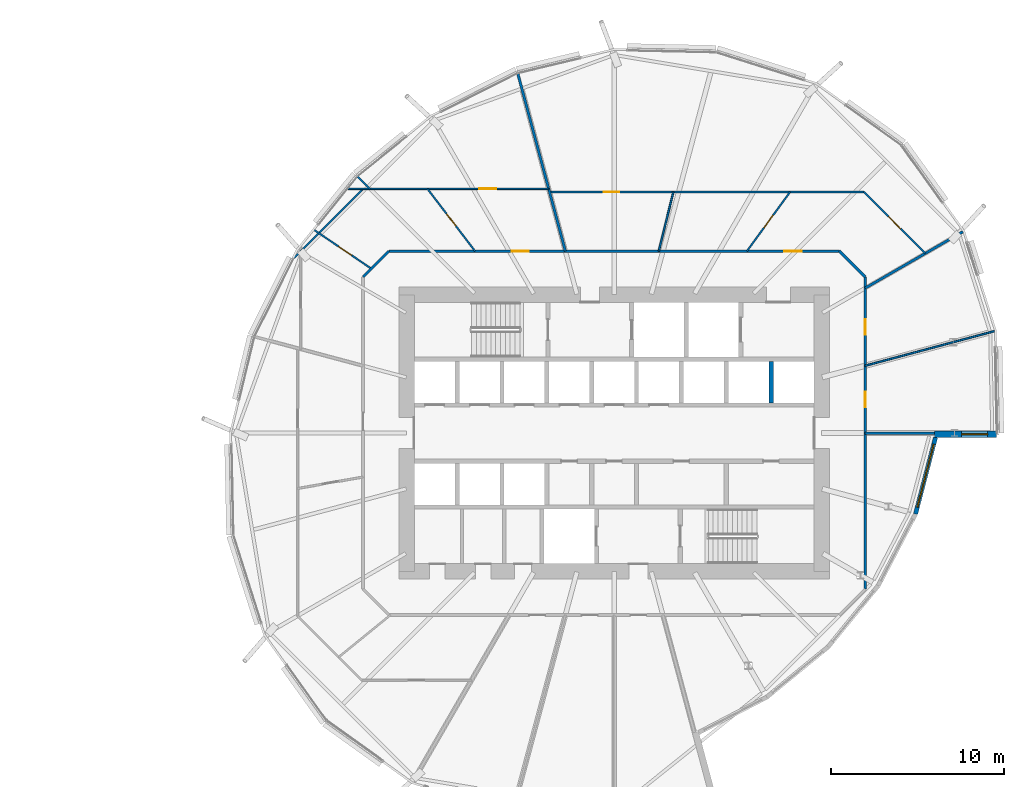
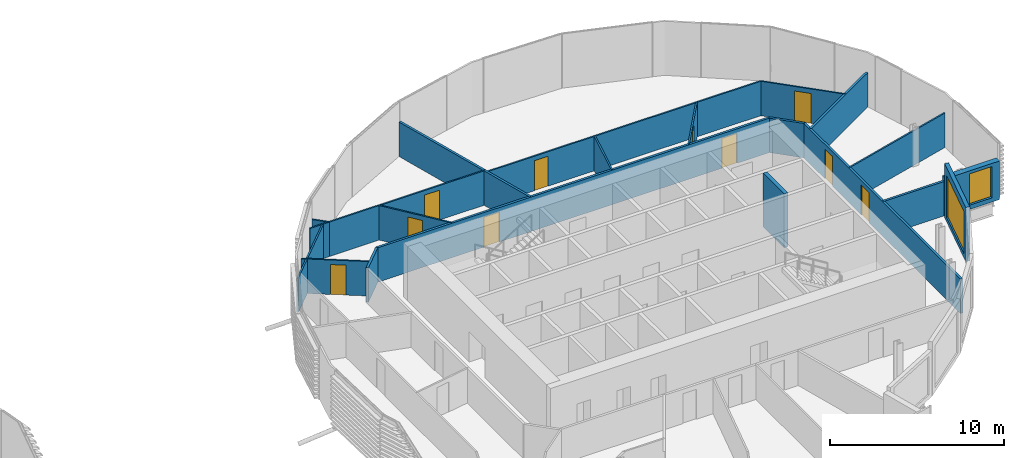
# One storey, part 25 of 38: 21 walls, 10 doors, 2 windows, 12 openings.
"""IFC4 building model written with IfcOpenShell, lengths in metres."""

from ifc_helpers import new_model, si_unit, direction, frame, frame_2d, origin, place, context, subcontext, project, spatial, rectangle, extrude, material, layer, layer_set, type_object, element, fill, save


model = new_model("IFC4")

# Units and contexts
model_context = context("Model", 3, precision=1e-05, world=origin(), true_north=direction((0.0, 1.0)))
body_context = subcontext(model_context, "Body", "Model", "MODEL_VIEW")
ifc_project = project(units=[si_unit("LENGTHUNIT", "METRE"), si_unit("AREAUNIT", "SQUARE_METRE"), si_unit("VOLUMEUNIT", "CUBIC_METRE"), si_unit("PLANEANGLEUNIT", "RADIAN"), si_unit("MASSUNIT", "GRAM", prefix="KILO")], contexts=[model_context])

# Site, building, storey
site_placement = place(None, origin())
site = spatial("IfcSite", under=ifc_project, at=site_placement, CompositionType="ELEMENT")
building_placement = place(site_placement, origin())
building = spatial("IfcBuilding", under=site, at=building_placement, Name="Rimbun Link Towers", CompositionType="ELEMENT")
storey_placement = place(building_placement, frame((0.0, 0.0, 68.0)))
storey = spatial("IfcBuildingStorey", under=building, at=storey_placement, Name="L16", CompositionType="ELEMENT", Elevation=68.0)

# Wall, opening, window
ifc_material_1 = material(Name="Dark enamelled glass spandrel on insulated aluminium backpan", Category="aluminium")
ifc_layer_1 = layer(ifc_material_1, 0.25)
ifc_layer_set_1 = layer_set([ifc_layer_1], Name="CS dark enamelled spandrel wall 250")
wall_type_1 = type_object("IfcWallType", Name="CS dark enamelled spandrel wall 250", PredefinedType="STANDARD", material=ifc_layer_set_1)
wall_1_placement = place(storey_placement, frame((50.343017578125, -0.25, 0.0), z_axis=(0.0, 0.0, 1.0), x_axis=(-0.252335175564, -0.967639891268, 0.0)))
wall_1 = element("IfcWall", 1, at=wall_1_placement, inside=storey, type_object=wall_type_1, Name="Crease spandrel wall", PredefinedType="STANDARD", context=body_context, shape_type="SweptSolid", body=[
    extrude(rectangle(XDim=4.584228515625, YDim=0.25, at=frame_2d((2.2919921875, 0.0))), origin(), (0.0, 0.0, 1.0), 3.800048828125),
])
opening_1_placement = place(wall_1_placement, frame((0.4169921875, 0.0, 0.300048828125)))
opening_1 = element("IfcOpeningElement", 2, at=opening_1_placement, cuts=wall_1, Name="Opening WR38H295", PredefinedType="OPENING", context=body_context, shape_type="SweptSolid", body=[
    extrude(rectangle(XDim=3.75, YDim=2.949951171875, at=frame_2d((1.875, 1.47509765625))), frame((0.0, 0.135009765625, 0.0), z_axis=(0.0, -1.0, 0.0), x_axis=(1.0, 0.0, 0.0)), (0.0, 0.0, 1.0), 0.27001953125),
])
ifc_material_2 = material(Name="Aluminium framed fixed window, dark tinted low-e glass", Category="aluminium")
window_type_1 = type_object("IfcWindowType", Name="WR ribbon window 3750X2950", PartitioningType="SINGLE_PANEL", PredefinedType="WINDOW", material=ifc_material_2)
window_1_placement = place(opening_1_placement, origin())
window_1 = element("IfcWindow", 3, at=window_1_placement, inside=storey, type_object=window_type_1, Name="Crease ribbon window", OverallHeight=2.949951171875, OverallWidth=3.75, PartitioningType="SINGLE_PANEL", PredefinedType="WINDOW", context=body_context, shape_type="SweptSolid", body=[
    extrude(rectangle(XDim=3.75, YDim=2.949951171875, at=frame_2d((1.875, 1.47509765625))), frame((0.0, 0.030029296875, 0.0), z_axis=(0.0, -1.0, 0.0), x_axis=(1.0, 0.0, 0.0)), (0.0, 0.0, 1.0), 0.06005859375),
])
fill(opening_1, window_1)

ifc_material_3 = material(Name="Dark enamelled glass spandrel on insulated aluminium backpan", Category="aluminium")
ifc_layer_2 = layer(ifc_material_3, 0.3701171875)
ifc_layer_set_2 = layer_set([ifc_layer_2], Name="CS dark enamelled spandrel wall 370")
wall_type_2 = type_object("IfcWallType", Name="CS dark enamelled spandrel wall 370", PredefinedType="STANDARD", material=ifc_layer_set_2)
wall_2_placement = place(storey_placement, frame((53.85888671875, -0.06494140625, 0.0), z_axis=(0.0, 0.0, 1.0), x_axis=(-1.0, 0.0, 0.0)))
wall_2 = element("IfcWall", 4, at=wall_2_placement, inside=storey, type_object=wall_type_2, Name="Crease spandrel wall", PredefinedType="STANDARD", context=body_context, shape_type="SweptSolid", body=[
    extrude(rectangle(XDim=3.579833984375, YDim=0.3701171875, at=frame_2d((1.7900390625, 0.0))), origin(), (0.0, 0.0, 1.0), 2.711669921875),
])
opening_2_placement = place(wall_2_placement, frame((0.510498046875, 0.0, 0.300048828125)))
opening_2 = element("IfcOpeningElement", 5, at=opening_2_placement, cuts=wall_2, Name="Opening WR15H220", PredefinedType="OPENING", context=body_context, shape_type="SweptSolid", body=[
    extrude(rectangle(XDim=1.5, YDim=2.199951171875, at=frame_2d((0.75, 1.10009765625))), frame((0.0, 0.195068359375, 0.0), z_axis=(0.0, -1.0, 0.0), x_axis=(1.0, 0.0, 0.0)), (0.0, 0.0, 1.0), 0.39013671875),
])
ifc_material_4 = material(Name="Aluminium framed fixed window, dark tinted low-e glass", Category="aluminium")
window_type_2 = type_object("IfcWindowType", Name="WR ribbon window 1500X2200", PartitioningType="SINGLE_PANEL", PredefinedType="WINDOW", material=ifc_material_4)
window_2_placement = place(opening_2_placement, origin())
window_2 = element("IfcWindow", 6, at=window_2_placement, inside=storey, type_object=window_type_2, Name="Crease ribbon window", OverallHeight=2.199951171875, OverallWidth=1.5, PartitioningType="SINGLE_PANEL", PredefinedType="WINDOW", context=body_context, shape_type="SweptSolid", body=[
    extrude(rectangle(XDim=1.5, YDim=2.199951171875, at=frame_2d((0.75, 1.10009765625))), frame((0.0, 0.030029296875, 0.0), z_axis=(0.0, -1.0, 0.0), x_axis=(1.0, 0.0, 0.0)), (0.0, 0.0, 1.0), 0.06005859375),
])
fill(opening_2, window_2)

# Wall, openings, doors
ifc_material_5 = material(Name="Plasterboard on steel stud, mineral wool", Category="steel")
ifc_layer_3 = layer(ifc_material_5, 0.14990234375)
ifc_layer_set_3 = layer_set([ifc_layer_3], Name="Corridor wall EI 30 150 mm")
wall_type_3 = type_object("IfcWallType", Name="Corridor wall EI 30 150 mm", PredefinedType="PARTITIONING", material=ifc_layer_set_3)
wall_3_placement = place(storey_placement, frame((18.723388671875, 10.52490234375, 0.0), z_axis=(0.0, 0.0, 1.0), x_axis=(1.0, 0.0, 0.0)))
wall_3 = element("IfcWall", 7, at=wall_3_placement, inside=storey, type_object=wall_type_3, Name="Corridor wall EI 30 150 mm", PredefinedType="PARTITIONING", context=body_context, shape_type="SweptSolid", body=[
    extrude(rectangle(XDim=26.05322265625, YDim=0.14990234375, at=frame_2d((13.026611328125, 0.0))), origin(), (0.0, 0.0, 1.0), 2.419921875),
])
opening_3_placement = place(wall_3_placement, frame((22.880615234375, 0.0, 0.0)))
opening_3 = element("IfcOpeningElement", 8, at=opening_3_placement, cuts=wall_3, Name="Opening D01", PredefinedType="OPENING", context=body_context, shape_type="SweptSolid", body=[
    extrude(rectangle(XDim=1.0, YDim=2.10009765625, at=frame_2d((0.5, 1.050048828125))), frame((0.0, 0.0849609375, 0.0), z_axis=(0.0, -1.0, 0.0), x_axis=(1.0, 0.0, 0.0)), (0.0, 0.0, 1.0), 0.169921875),
])
opening_4_placement = place(wall_3_placement, frame((7.093994140625, 0.0, 0.0)))
opening_4 = element("IfcOpeningElement", 9, at=opening_4_placement, cuts=wall_3, Name="Opening D01", PredefinedType="OPENING", context=body_context, shape_type="SweptSolid", body=[
    extrude(rectangle(XDim=1.0, YDim=2.10009765625, at=frame_2d((0.5, 1.050048828125))), frame((0.0, 0.0849609375, 0.0), z_axis=(0.0, -1.0, 0.0), x_axis=(1.0, 0.0, 0.0)), (0.0, 0.0, 1.0), 0.169921875),
])
ifc_material_6 = material(Name="Fire-resisting timber door leaf", Category="wood")
door_type_1 = type_object("IfcDoorType", Name="Fire door FD30S 1000", OperationType="NOTDEFINED", PredefinedType="DOOR", material=ifc_material_6)
door_1_placement = place(opening_3_placement, origin())
door_1 = element("IfcDoor", 10, at=door_1_placement, inside=storey, type_object=door_type_1, Name="Fire door FD30S 1000 to Reception", OperationType="SINGLE_SWING_LEFT", OverallHeight=2.10009765625, OverallWidth=1.0, PredefinedType="DOOR", context=body_context, shape_type="SweptSolid", body=[
    extrude(rectangle(XDim=1.0, YDim=2.10009765625, at=frame_2d((0.5, 1.050048828125))), frame((0.0, 0.02490234375, 0.0), z_axis=(0.0, -1.0, 0.0), x_axis=(1.0, 0.0, 0.0)), (0.0, 0.0, 1.0), 0.050048828125),
])
fill(opening_3, door_1)
door_2_placement = place(opening_4_placement, origin())
door_2 = element("IfcDoor", 11, at=door_2_placement, inside=storey, type_object=door_type_1, Name="Fire door FD30S 1000 to Reception", OperationType="SINGLE_SWING_RIGHT", OverallHeight=2.10009765625, OverallWidth=1.0, PredefinedType="DOOR", context=body_context, shape_type="SweptSolid", body=[
    extrude(rectangle(XDim=1.0, YDim=2.10009765625, at=frame_2d((0.5, 1.050048828125))), frame((0.0, 0.02490234375, 0.0), z_axis=(0.0, -1.0, 0.0), x_axis=(1.0, 0.0, 0.0)), (0.0, 0.0, 1.0), 0.050048828125),
])
fill(opening_4, door_2)

# Wall
wall_4_placement = place(storey_placement, frame((46.27490234375, 9.026611328125, 0.0), z_axis=(0.0, 0.0, 1.0), x_axis=(-0.707106781187, 0.707106781187, 0.0)))
element("IfcWall", 12, at=wall_4_placement, inside=storey, type_object=wall_type_3, Name="Corridor wall EI 30 150 mm", PredefinedType="PARTITIONING", context=body_context, shape_type="SweptSolid", body=[
    extrude(rectangle(XDim=2.118896484375, YDim=0.14990234375, at=frame_2d((1.0595703125, 0.0))), origin(), (0.0, 0.0, 1.0), 2.419921875),
])

# Wall, openings, doors
wall_5_placement = place(storey_placement, frame((46.27490234375, 9.026611328125, 0.0), z_axis=(0.0, 0.0, 1.0), x_axis=(0.0, -1.0, 0.0)))
wall_5 = element("IfcWall", 13, at=wall_5_placement, inside=storey, type_object=wall_type_3, Name="Corridor wall EI 30 150 mm", PredefinedType="PARTITIONING", context=body_context, shape_type="SweptSolid", body=[
    extrude(rectangle(XDim=18.05322265625, YDim=0.14990234375, at=frame_2d((9.026611328125, 0.0))), origin(), (0.0, 0.0, 1.0), 2.419921875),
])
opening_5_placement = place(wall_5_placement, frame((6.630615234375, 0.0, 0.0)))
opening_5 = element("IfcOpeningElement", 14, at=opening_5_placement, cuts=wall_5, Name="Opening D02", PredefinedType="OPENING", context=body_context, shape_type="SweptSolid", body=[
    extrude(rectangle(XDim=0.89990234375, YDim=2.10009765625, at=frame_2d((0.449951171875, 1.050048828125))), frame((0.0, 0.0849609375, 0.0), z_axis=(0.0, -1.0, 0.0), x_axis=(1.0, 0.0, 0.0)), (0.0, 0.0, 1.0), 0.169921875),
])
opening_6_placement = place(wall_5_placement, frame((2.437744140625, 0.0, 0.0)))
opening_6 = element("IfcOpeningElement", 15, at=opening_6_placement, cuts=wall_5, Name="Opening D02", PredefinedType="OPENING", context=body_context, shape_type="SweptSolid", body=[
    extrude(rectangle(XDim=0.89990234375, YDim=2.10009765625, at=frame_2d((0.449951171875, 1.050048828125))), frame((0.0, 0.0849609375, 0.0), z_axis=(0.0, -1.0, 0.0), x_axis=(1.0, 0.0, 0.0)), (0.0, 0.0, 1.0), 0.169921875),
])
ifc_material_7 = material(Name="Fire-resisting timber door leaf", Category="wood")
door_type_2 = type_object("IfcDoorType", Name="Fire door FD30S 900", OperationType="NOTDEFINED", PredefinedType="DOOR", material=ifc_material_7)
door_3_placement = place(opening_5_placement, origin())
door_3 = element("IfcDoor", 16, at=door_3_placement, inside=storey, type_object=door_type_2, Name="Fire door FD30S 900 to Meeting room", OperationType="SINGLE_SWING_LEFT", OverallHeight=2.10009765625, OverallWidth=0.89990234375, PredefinedType="DOOR", context=body_context, shape_type="SweptSolid", body=[
    extrude(rectangle(XDim=0.89990234375, YDim=2.10009765625, at=frame_2d((0.449951171875, 1.050048828125))), frame((0.0, 0.02490234375, 0.0), z_axis=(0.0, -1.0, 0.0), x_axis=(1.0, 0.0, 0.0)), (0.0, 0.0, 1.0), 0.050048828125),
])
fill(opening_5, door_3)
door_4_placement = place(opening_6_placement, origin())
door_4 = element("IfcDoor", 17, at=door_4_placement, inside=storey, type_object=door_type_2, Name="Fire door FD30S 900 to Meeting room", OperationType="SINGLE_SWING_RIGHT", OverallHeight=2.10009765625, OverallWidth=0.89990234375, PredefinedType="DOOR", context=body_context, shape_type="SweptSolid", body=[
    extrude(rectangle(XDim=0.89990234375, YDim=2.10009765625, at=frame_2d((0.449951171875, 1.050048828125))), frame((0.0, 0.02490234375, 0.0), z_axis=(0.0, -1.0, 0.0), x_axis=(1.0, 0.0, 0.0)), (0.0, 0.0, 1.0), 0.050048828125),
])
fill(opening_6, door_4)

# Walls
wall_6_placement = place(storey_placement, frame((18.723388671875, 10.52490234375, 0.0), z_axis=(0.0, 0.0, 1.0), x_axis=(-0.707106781187, -0.707106781187, 0.0)))
element("IfcWall", 18, at=wall_6_placement, inside=storey, type_object=wall_type_3, Name="Corridor wall EI 30 150 mm", PredefinedType="PARTITIONING", context=body_context, shape_type="SweptSolid", body=[
    extrude(rectangle(XDim=2.118896484375, YDim=0.14990234375, at=frame_2d((1.0595703125, 0.0))), origin(), (0.0, 0.0, 1.0), 2.419921875),
])
ifc_material_8 = material(Name="Plasterboard on steel stud", Category="steel")
ifc_layer_4 = layer(ifc_material_8, 0.10009765625)
ifc_layer_set_4 = layer_set([ifc_layer_4], Name="Plasterboard partition 100 mm")
wall_type_4 = type_object("IfcWallType", Name="Plasterboard partition 100 mm", PredefinedType="PARTITIONING", material=ifc_layer_set_4)
wall_7_placement = place(storey_placement, frame((53.7548828125, 5.896240234375, 0.0), z_axis=(0.0, 0.0, 1.0), x_axis=(-0.965929194551, -0.25880647425, 0.0)))
element("IfcWall", 19, at=wall_7_placement, inside=storey, type_object=wall_type_4, Name="Plasterboard partition 100 mm", PredefinedType="PARTITIONING", context=body_context, shape_type="SweptSolid", body=[
    extrude(rectangle(XDim=7.743896484375, YDim=0.10009765625, at=frame_2d((3.8720703125, 0.0))), origin(), (0.0, 0.0, 1.0), 2.419921875),
])

# Wall, opening, door
wall_8_placement = place(storey_placement, frame((39.431396484375, 10.52490234375, 0.0), z_axis=(0.0, 0.0, 1.0), x_axis=(0.589514828759, 0.80775755439, 0.0)))
wall_8 = element("IfcWall", 20, at=wall_8_placement, inside=storey, type_object=wall_type_4, Name="Plasterboard partition 100 mm", PredefinedType="PARTITIONING", context=body_context, shape_type="SweptSolid", body=[
    extrude(rectangle(XDim=4.234130859375, YDim=0.10009765625, at=frame_2d((2.1171875, 0.0))), origin(), (0.0, 0.0, 1.0), 2.419921875),
])
opening_7_placement = place(wall_8_placement, frame((1.6669921875, 0.0, 0.0)))
opening_7 = element("IfcOpeningElement", 21, at=opening_7_placement, cuts=wall_8, Name="Opening D04", PredefinedType="OPENING", context=body_context, shape_type="SweptSolid", body=[
    extrude(rectangle(XDim=0.89990234375, YDim=2.10009765625, at=frame_2d((0.449951171875, 1.050048828125))), frame((0.0, 0.06005859375, 0.0), z_axis=(0.0, -1.0, 0.0), x_axis=(1.0, 0.0, 0.0)), (0.0, 0.0, 1.0), 0.1201171875),
])
ifc_material_9 = material(Name="Timber door leaf", Category="wood")
door_type_3 = type_object("IfcDoorType", Name="Flush door 900", OperationType="NOTDEFINED", PredefinedType="DOOR", material=ifc_material_9)
door_5_placement = place(opening_7_placement, origin())
door_5 = element("IfcDoor", 22, at=door_5_placement, inside=storey, type_object=door_type_3, Name="Flush door 900 to Meeting room", OperationType="SINGLE_SWING_RIGHT", OverallHeight=2.10009765625, OverallWidth=0.89990234375, PredefinedType="DOOR", context=body_context, shape_type="SweptSolid", body=[
    extrude(rectangle(XDim=0.89990234375, YDim=2.10009765625, at=frame_2d((0.449951171875, 1.050048828125))), frame((0.0, 0.02490234375, 0.0), z_axis=(0.0, -1.0, 0.0), x_axis=(1.0, 0.0, 0.0)), (0.0, 0.0, 1.0), 0.050048828125),
])
fill(opening_7, door_5)

wall_9_placement = place(storey_placement, frame((46.193359375, 13.945068359375, 0.0), z_axis=(0.0, 0.0, 1.0), x_axis=(0.707106781187, -0.707106781187, 0.0)))
wall_9 = element("IfcWall", 23, at=wall_9_placement, inside=storey, type_object=wall_type_4, Name="Plasterboard partition 100 mm", PredefinedType="PARTITIONING", context=body_context, shape_type="SweptSolid", body=[
    extrude(rectangle(XDim=5.0263671875, YDim=0.10009765625, at=frame_2d((2.51318359375, 0.0))), origin(), (0.0, 0.0, 1.0), 2.419921875),
])
opening_8_placement = place(wall_9_placement, frame((2.01318359375, 0.0, 0.0)))
opening_8 = element("IfcOpeningElement", 24, at=opening_8_placement, cuts=wall_9, Name="Opening D03", PredefinedType="OPENING", context=body_context, shape_type="SweptSolid", body=[
    extrude(rectangle(XDim=1.0, YDim=2.10009765625, at=frame_2d((0.5, 1.050048828125))), frame((0.0, 0.06005859375, 0.0), z_axis=(0.0, -1.0, 0.0), x_axis=(1.0, 0.0, 0.0)), (0.0, 0.0, 1.0), 0.1201171875),
])
ifc_material_10 = material(Name="Timber door leaf", Category="wood")
door_type_4 = type_object("IfcDoorType", Name="Flush door 1000", OperationType="NOTDEFINED", PredefinedType="DOOR", material=ifc_material_10)
door_6_placement = place(opening_8_placement, origin())
door_6 = element("IfcDoor", 25, at=door_6_placement, inside=storey, type_object=door_type_4, Name="Flush door 1000 to Open office", OperationType="SINGLE_SWING_LEFT", OverallHeight=2.10009765625, OverallWidth=1.0, PredefinedType="DOOR", context=body_context, shape_type="SweptSolid", body=[
    extrude(rectangle(XDim=1.0, YDim=2.10009765625, at=frame_2d((0.5, 1.050048828125))), frame((0.0, 0.02490234375, 0.0), z_axis=(0.0, -1.0, 0.0), x_axis=(1.0, 0.0, 0.0)), (0.0, 0.0, 1.0), 0.050048828125),
])
fill(opening_8, door_6)

wall_10_placement = place(storey_placement, frame((46.193359375, 13.945068359375, 0.0), z_axis=(0.0, 0.0, 1.0), x_axis=(-1.0, 0.0, 0.0)))
wall_10 = element("IfcWall", 26, at=wall_10_placement, inside=storey, type_object=wall_type_4, Name="Plasterboard partition 100 mm", PredefinedType="PARTITIONING", context=body_context, shape_type="SweptSolid", body=[
    extrude(rectangle(XDim=18.179931640625, YDim=0.10009765625, at=frame_2d((9.08984375, 0.0))), origin(), (0.0, 0.0, 1.0), 2.419921875),
])
opening_9_placement = place(wall_10_placement, frame((14.1494140625, 0.0, 0.0)))
opening_9 = element("IfcOpeningElement", 27, at=opening_9_placement, cuts=wall_10, Name="Opening D04", PredefinedType="OPENING", context=body_context, shape_type="SweptSolid", body=[
    extrude(rectangle(XDim=0.89990234375, YDim=2.10009765625, at=frame_2d((0.449951171875, 1.050048828125))), frame((0.0, 0.06005859375, 0.0), z_axis=(0.0, -1.0, 0.0), x_axis=(1.0, 0.0, 0.0)), (0.0, 0.0, 1.0), 0.1201171875),
])
door_7_placement = place(opening_9_placement, origin())
door_7 = element("IfcDoor", 28, at=door_7_placement, inside=storey, type_object=door_type_3, Name="Flush door 900 to Print room", OperationType="SINGLE_SWING_RIGHT", OverallHeight=2.10009765625, OverallWidth=0.89990234375, PredefinedType="DOOR", context=body_context, shape_type="SweptSolid", body=[
    extrude(rectangle(XDim=0.89990234375, YDim=2.10009765625, at=frame_2d((0.449951171875, 1.050048828125))), frame((0.0, 0.02490234375, 0.0), z_axis=(0.0, -1.0, 0.0), x_axis=(1.0, 0.0, 0.0)), (0.0, 0.0, 1.0), 0.050048828125),
])
fill(opening_9, door_7)

# Wall
wall_11_placement = place(storey_placement, frame((35.17431640625, 13.945068359375, 0.0), z_axis=(0.0, 0.0, 1.0), x_axis=(-0.238406590273, -0.971165432722, 0.0)))
element("IfcWall", 29, at=wall_11_placement, inside=storey, type_object=wall_type_4, Name="Plasterboard partition 100 mm", PredefinedType="PARTITIONING", context=body_context, shape_type="SweptSolid", body=[
    extrude(rectangle(XDim=3.521728515625, YDim=0.10009765625, at=frame_2d((1.7607421875, 0.0))), origin(), (0.0, 0.0, 1.0), 2.419921875),
])

# Wall, opening, door
wall_12_placement = place(storey_placement, frame((23.704833984375, 10.52490234375, 0.0), z_axis=(0.0, 0.0, 1.0), x_axis=(-0.607268103585, 0.794496979458, 0.0)))
wall_12 = element("IfcWall", 30, at=wall_12_placement, inside=storey, type_object=wall_type_4, Name="Plasterboard partition 100 mm", PredefinedType="PARTITIONING", context=body_context, shape_type="SweptSolid", body=[
    extrude(rectangle(XDim=4.53125, YDim=0.10009765625, at=frame_2d((2.265625, 0.0))), origin(), (0.0, 0.0, 1.0), 2.419921875),
])
opening_10_placement = place(wall_12_placement, frame((1.815673828125, 0.0, 0.0)))
opening_10 = element("IfcOpeningElement", 31, at=opening_10_placement, cuts=wall_12, Name="Opening D04", PredefinedType="OPENING", context=body_context, shape_type="SweptSolid", body=[
    extrude(rectangle(XDim=0.89990234375, YDim=2.10009765625, at=frame_2d((0.449951171875, 1.050048828125))), frame((0.0, 0.06005859375, 0.0), z_axis=(0.0, -1.0, 0.0), x_axis=(1.0, 0.0, 0.0)), (0.0, 0.0, 1.0), 0.1201171875),
])
door_8_placement = place(opening_10_placement, origin())
door_8 = element("IfcDoor", 32, at=door_8_placement, inside=storey, type_object=door_type_3, Name="Flush door 900 to Meeting room", OperationType="SINGLE_SWING_RIGHT", OverallHeight=2.10009765625, OverallWidth=0.89990234375, PredefinedType="DOOR", context=body_context, shape_type="SweptSolid", body=[
    extrude(rectangle(XDim=0.89990234375, YDim=2.10009765625, at=frame_2d((0.449951171875, 1.050048828125))), frame((0.0, 0.02490234375, 0.0), z_axis=(0.0, -1.0, 0.0), x_axis=(1.0, 0.0, 0.0)), (0.0, 0.0, 1.0), 0.050048828125),
])
fill(opening_10, door_8)

wall_13_placement = place(storey_placement, frame((17.625, 14.125, 0.0), z_axis=(0.0, 0.0, 1.0), x_axis=(1.0, 0.0, 0.0)))
wall_13 = element("IfcWall", 33, at=wall_13_placement, inside=storey, type_object=wall_type_4, Name="Plasterboard partition 100 mm", PredefinedType="PARTITIONING", context=body_context, shape_type="SweptSolid", body=[
    extrude(rectangle(XDim=10.340087890625, YDim=0.10009765625, at=frame_2d((5.169921875, 0.0))), origin(), (0.0, 0.0, 1.0), 2.419921875),
])
opening_11_placement = place(wall_13_placement, frame((6.319091796875, 0.0, 0.0)))
opening_11 = element("IfcOpeningElement", 34, at=opening_11_placement, cuts=wall_13, Name="Opening D03", PredefinedType="OPENING", context=body_context, shape_type="SweptSolid", body=[
    extrude(rectangle(XDim=1.0, YDim=2.10009765625, at=frame_2d((0.5, 1.050048828125))), frame((0.0, 0.06005859375, 0.0), z_axis=(0.0, -1.0, 0.0), x_axis=(1.0, 0.0, 0.0)), (0.0, 0.0, 1.0), 0.1201171875),
])
door_9_placement = place(opening_11_placement, origin())
door_9 = element("IfcDoor", 35, at=door_9_placement, inside=storey, type_object=door_type_4, Name="Flush door 1000 to Co-working space", OperationType="SINGLE_SWING_LEFT", OverallHeight=2.10009765625, OverallWidth=1.0, PredefinedType="DOOR", context=body_context, shape_type="SweptSolid", body=[
    extrude(rectangle(XDim=1.0, YDim=2.10009765625, at=frame_2d((0.5, 1.050048828125))), frame((0.0, 0.02490234375, 0.0), z_axis=(0.0, -1.0, 0.0), x_axis=(1.0, 0.0, 0.0)), (0.0, 0.0, 1.0), 0.050048828125),
])
fill(opening_11, door_9)

wall_14_placement = place(storey_placement, frame((17.706787109375, 9.50830078125, 0.0), z_axis=(0.0, 0.0, 1.0), x_axis=(-0.82805052716, 0.560653479851, 0.0)))
wall_14 = element("IfcWall", 36, at=wall_14_placement, inside=storey, type_object=wall_type_4, Name="Plasterboard partition 100 mm", PredefinedType="PARTITIONING", context=body_context, shape_type="SweptSolid", body=[
    extrude(rectangle(XDim=3.99365234375, YDim=0.10009765625, at=frame_2d((1.996826171875, 0.0))), origin(), (0.0, 0.0, 1.0), 2.419921875),
])
opening_12_placement = place(wall_14_placement, frame((1.383056640625, 0.0, 0.0)))
opening_12 = element("IfcOpeningElement", 37, at=opening_12_placement, cuts=wall_14, Name="Opening D04", PredefinedType="OPENING", context=body_context, shape_type="SweptSolid", body=[
    extrude(rectangle(XDim=0.89990234375, YDim=2.10009765625, at=frame_2d((0.449951171875, 1.050048828125))), frame((0.0, 0.06005859375, 0.0), z_axis=(0.0, -1.0, 0.0), x_axis=(1.0, 0.0, 0.0)), (0.0, 0.0, 1.0), 0.1201171875),
])
door_10_placement = place(opening_12_placement, origin())
door_10 = element("IfcDoor", 38, at=door_10_placement, inside=storey, type_object=door_type_3, Name="Flush door 900 to Pantry", OperationType="SINGLE_SWING_RIGHT", OverallHeight=2.10009765625, OverallWidth=0.89990234375, PredefinedType="DOOR", context=body_context, shape_type="SweptSolid", body=[
    extrude(rectangle(XDim=0.89990234375, YDim=2.10009765625, at=frame_2d((0.449951171875, 1.050048828125))), frame((0.0, 0.02490234375, 0.0), z_axis=(0.0, -1.0, 0.0), x_axis=(1.0, 0.0, 0.0)), (0.0, 0.0, 1.0), 0.050048828125),
])
fill(opening_12, door_10)

# Walls
wall_15_placement = place(storey_placement, frame((13.237548828125, 10.130615234375, 0.0), z_axis=(0.0, 0.0, 1.0), x_axis=(0.707128389718, 0.707085171995, 0.0)))
element("IfcWall", 39, at=wall_15_placement, inside=storey, type_object=wall_type_4, Name="Plasterboard partition 100 mm", PredefinedType="PARTITIONING", context=body_context, shape_type="SweptSolid", body=[
    extrude(rectangle(XDim=5.649169921875, YDim=0.10009765625, at=frame_2d((2.82470703125, 0.0))), origin(), (0.0, 0.0, 1.0), 2.419921875),
])
wall_16_placement = place(storey_placement, frame((17.625, 14.125, 0.0), z_axis=(0.0, 0.0, 1.0), x_axis=(-1.0, 0.0, 0.0)))
element("IfcWall", 40, at=wall_16_placement, inside=storey, type_object=wall_type_4, Name="Plasterboard partition 100 mm", PredefinedType="PARTITIONING", context=body_context, shape_type="SweptSolid", body=[
    extrude(rectangle(XDim=1.296142578125, YDim=0.10009765625, at=frame_2d((0.64794921875, 0.0))), origin(), (0.0, 0.0, 1.0), 2.419921875),
])
wall_17_placement = place(storey_placement, frame((16.9169921875, 14.8330078125, 0.0), z_axis=(0.0, 0.0, 1.0), x_axis=(0.707106781187, -0.707106781187, 0.0)))
element("IfcWall", 41, at=wall_17_placement, inside=storey, type_object=wall_type_4, Name="Plasterboard partition 100 mm", PredefinedType="PARTITIONING", context=body_context, shape_type="SweptSolid", body=[
    extrude(rectangle(XDim=1.001220703125, YDim=0.10009765625, at=frame_2d((0.50048828125, 0.0))), origin(), (0.0, 0.0, 1.0), 2.419921875),
])
ifc_material_11 = material(Name="Concrete C60/75", Category="concrete")
ifc_layer_5 = layer(ifc_material_11, 0.25)
ifc_layer_set_5 = layer_set([ifc_layer_5], Name="Shaft wall 250")
wall_type_5 = type_object("IfcWallType", Name="Shaft wall 250", PredefinedType="SHEAR", material=ifc_layer_set_5)
wall_18_placement = place(storey_placement, frame((40.83056640625, 1.75, 0.0), z_axis=(0.0, 0.0, 1.0), x_axis=(0.0, 1.0, 0.0)))
element("IfcWall", 42, at=wall_18_placement, inside=storey, type_object=wall_type_5, Name="L16 T2 core wall DN7", PredefinedType="SHEAR", context=body_context, shape_type="SweptSolid", body=[
    extrude(rectangle(XDim=2.39990234375, YDim=0.25, at=frame_2d((1.199951171875, 0.0))), origin(), (0.0, 0.0, 1.0), 3.800048828125),
])
ifc_material_12 = material(Name="Plasterboard on steel stud, mineral wool", Category="steel")
ifc_layer_6 = layer(ifc_material_12, 0.14990234375)
ifc_layer_set_6 = layer_set([ifc_layer_6], Name="Tenancy separation wall EI 60 150 mm")
wall_type_6 = type_object("IfcWallType", Name="Tenancy separation wall EI 60 150 mm", PredefinedType="PARTITIONING", material=ifc_layer_set_6)
wall_19_placement = place(storey_placement, frame((28.9296875, 10.52490234375, 0.0), z_axis=(0.0, 0.0, 1.0), x_axis=(-0.25881565151, 0.965926735593, 0.0)))
element("IfcWall", 43, at=wall_19_placement, inside=storey, type_object=wall_type_6, Name="Tenancy separation wall EI 60 150 mm", PredefinedType="PARTITIONING", context=body_context, shape_type="SweptSolid", body=[
    extrude(rectangle(XDim=10.6337890625, YDim=0.14990234375, at=frame_2d((5.31689453125, 0.0))), origin(), (0.0, 0.0, 1.0), 2.419921875),
])
wall_20_placement = place(storey_placement, frame((46.27490234375, 0.0, 0.0), z_axis=(0.0, 0.0, 1.0), x_axis=(1.0, 0.0, 0.0)))
element("IfcWall", 44, at=wall_20_placement, inside=storey, type_object=wall_type_6, Name="Tenancy separation wall EI 60 150 mm", PredefinedType="PARTITIONING", context=body_context, shape_type="SweptSolid", body=[
    extrude(rectangle(XDim=4.004150390625, YDim=0.14990234375, at=frame_2d((2.001953125, 0.0))), origin(), (0.0, 0.0, 1.0), 2.419921875),
])
wall_21_placement = place(storey_placement, frame((46.27490234375, 8.385986328125, 0.0), z_axis=(0.0, 0.0, 1.0), x_axis=(0.866037911478, 0.499978335414, 0.0)))
element("IfcWall", 45, at=wall_21_placement, inside=storey, type_object=wall_type_6, Name="Tenancy separation wall EI 60 150 mm", PredefinedType="PARTITIONING", context=body_context, shape_type="SweptSolid", body=[
    extrude(rectangle(XDim=6.524658203125, YDim=0.14990234375, at=frame_2d((3.26220703125, 0.0))), origin(), (0.0, 0.0, 1.0), 2.419921875),
])

save(model, "model.ifc")
